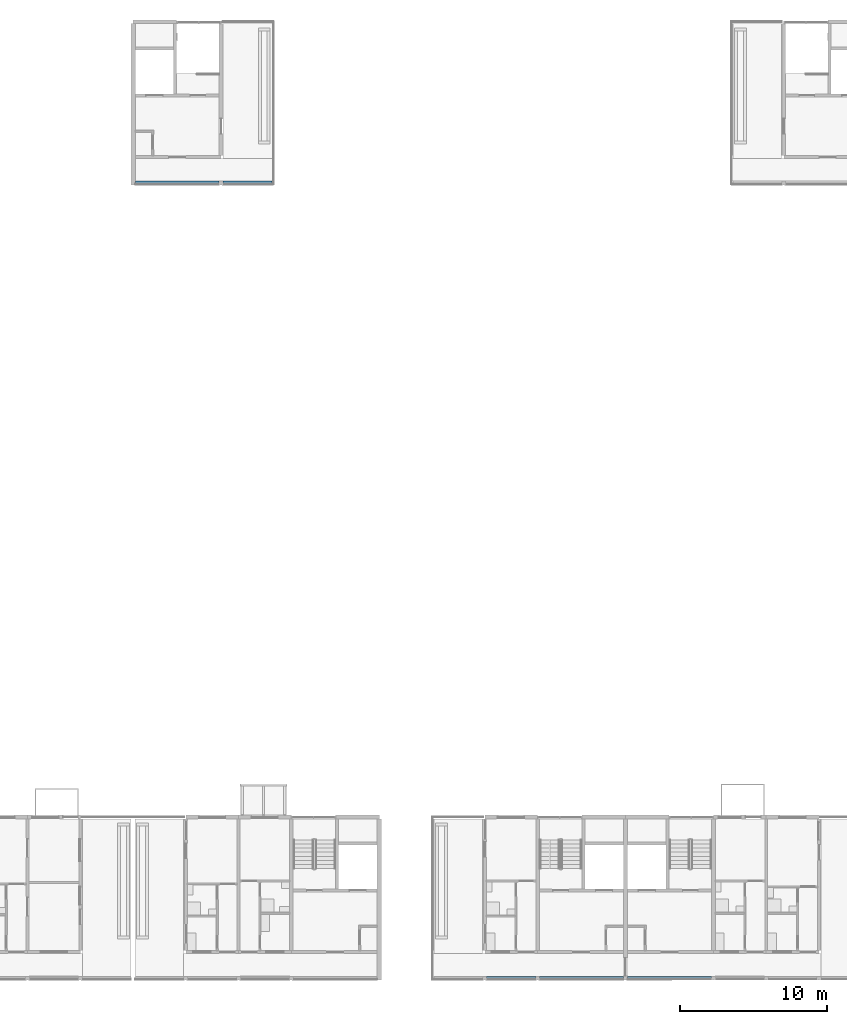
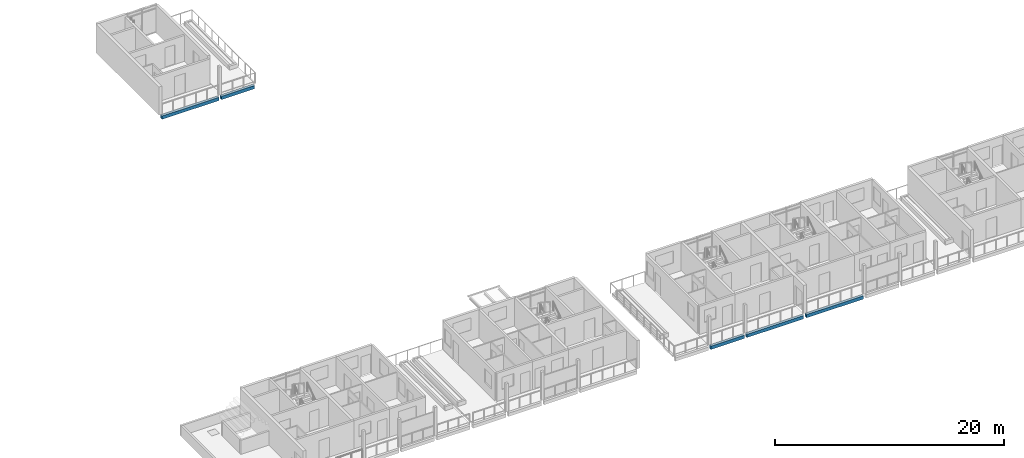
# One storey, part 13 of 55: 5 beams.
"""IFC4 building model written with IfcOpenShell, lengths in metres."""

from ifc_helpers import new_model, si_unit, direction, frame, origin, origin_2d, place, context, subcontext, project, spatial, rectangle, extrude, material, material_profile, profile_set, type_object, element, save


model = new_model("IFC4")

# Units and contexts
model_context = context("Model", 3, precision=1e-05, world=origin(), true_north=direction((0.0, 1.0)))
body_context = subcontext(model_context, "Body", "Model", "MODEL_VIEW")
ifc_project = project(units=[si_unit("LENGTHUNIT", "METRE"), si_unit("AREAUNIT", "SQUARE_METRE"), si_unit("VOLUMEUNIT", "CUBIC_METRE"), si_unit("PLANEANGLEUNIT", "RADIAN"), si_unit("MASSUNIT", "GRAM", prefix="KILO")], contexts=[model_context])

# Site, building, storey
site_placement = place(None, origin())
site = spatial("IfcSite", under=ifc_project, at=site_placement, CompositionType="ELEMENT")
building_placement = place(site_placement, origin())
building = spatial("IfcBuilding", under=site, at=building_placement, Name="Ridgestep Commons", CompositionType="ELEMENT")
storey_placement = place(building_placement, frame((0.0, 0.0, 36.0)))
storey = spatial("IfcBuildingStorey", under=building, at=storey_placement, Name="L12", CompositionType="ELEMENT", Elevation=36.0)

# Beams
ifc_material = material(Name="Precast concrete C40/50", Category="concrete")
ifc_material_profile = material_profile(ifc_material, rectangle(XDim=0.25, YDim=0.35009765625, at=origin_2d()), Name="PC 250x350")
ifc_profile_set = profile_set([ifc_material_profile], Name="Precast concrete C40/50")
beam_type = type_object("IfcBeamType", Name="Loggia edge beam 250 x 350", PredefinedType="SPANDREL", material=ifc_profile_set)
beam_placement = place(storey_placement, frame((180.550048828125, 66.125, -0.375), z_axis=(1.0, 0.0, 0.0), x_axis=(0.0, 1.0, 0.0)))
element("IfcBeam", 1, at=beam_placement, inside=storey, type_object=beam_type, Name="Loggia edge beam C3C L12", PredefinedType="SPANDREL", context=body_context, shape_type="SweptSolid", body=[
    extrude(rectangle(XDim=0.25, YDim=0.35009765625, at=origin_2d()), origin(), (0.0, 0.0, 1.0), 5.724853515625),
])
for number, where, z_axis, x_axis, name in (
    (2, (186.52490234375, 66.125, -0.375), (1.0, 0.0, 0.0), (0.0, 1.0, 0.0), "Loggia edge beam C3T3 L12"),
    (3, (204.52490234375, 11.875, -0.375), (1.0, 0.0, 0.0), (0.0, 1.0, 0.0), "Loggia edge beam D4T3 L12"),
):
    element("IfcBeam", number, at=place(storey_placement, frame(where, z_axis=z_axis, x_axis=x_axis)), inside=storey, type_object=beam_type, Name=name, PredefinedType="SPANDREL", context=body_context, shape_type="SweptSolid", body=[
        extrude(rectangle(XDim=0.25, YDim=0.35009765625, at=origin_2d()), origin(), (0.0, 0.0, 1.0), 3.35009765625),
    ])
for number, where, z_axis, x_axis, name in (
    (4, (208.125, 11.875, -0.375), (1.0, 0.0, 0.0), (0.0, 1.0, 0.0), "Loggia edge beam D4C L12"),
    (5, (214.14990234375, 11.875, -0.375), (1.0, 0.0, 0.0), (0.0, 1.0, 0.0), "Loggia edge beam D5C L12"),
):
    element("IfcBeam", number, at=place(storey_placement, frame(where, z_axis=z_axis, x_axis=x_axis)), inside=storey, type_object=beam_type, Name=name, PredefinedType="SPANDREL", context=body_context, shape_type="SweptSolid", body=[
        extrude(rectangle(XDim=0.25, YDim=0.35009765625, at=origin_2d()), origin(), (0.0, 0.0, 1.0), 5.72509765625),
    ])

save(model, "model.ifc")
